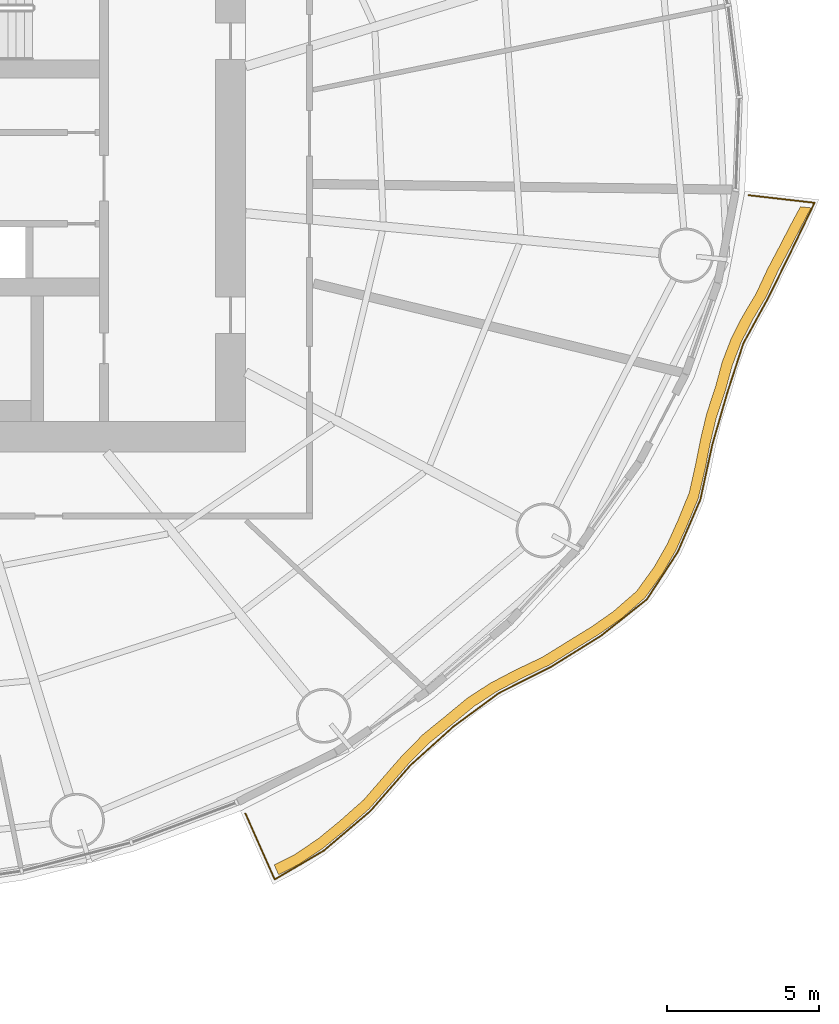
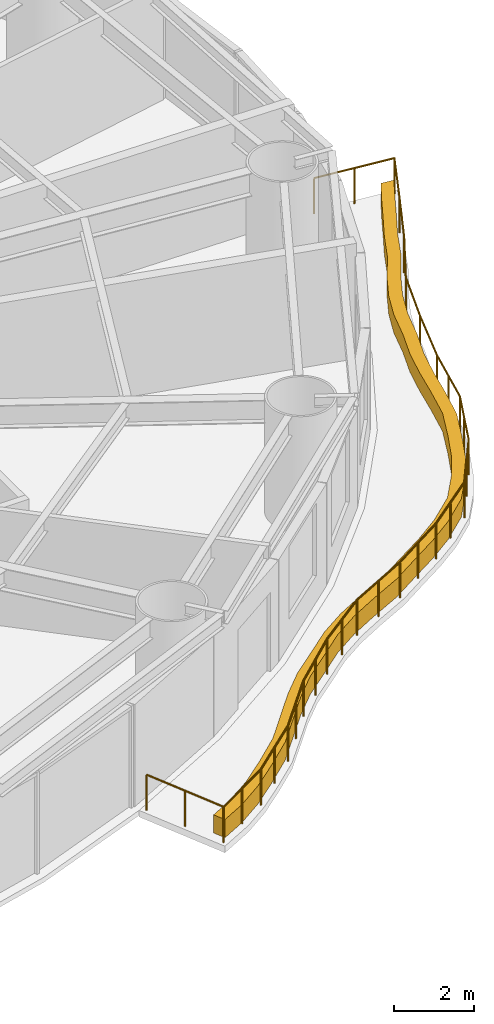
# One storey, part 14 of 16: 1 covering, 1 railing.
"""IFC4 building model written with IfcOpenShell, lengths in metres."""

from ifc_helpers import new_model, si_unit, direction, frame, origin, origin_2d, place, context, subcontext, project, spatial, polyline, circle, outline, extrude, material, type_object, element, save


model = new_model("IFC4")

# Units and contexts
model_context = context("Model", 3, precision=1e-05, world=origin(), true_north=direction((0.0, 1.0)))
body_context = subcontext(model_context, "Body", "Model", "MODEL_VIEW")
ifc_project = project(units=[si_unit("LENGTHUNIT", "METRE"), si_unit("AREAUNIT", "SQUARE_METRE"), si_unit("VOLUMEUNIT", "CUBIC_METRE"), si_unit("PLANEANGLEUNIT", "RADIAN"), si_unit("MASSUNIT", "GRAM", prefix="KILO")], contexts=[model_context])

# Site, building, storey
site_placement = place(None, origin())
site = spatial("IfcSite", under=ifc_project, at=site_placement, CompositionType="ELEMENT")
building_placement = place(site_placement, origin())
building = spatial("IfcBuilding", under=site, at=building_placement, Name="Vermilion Reach Broadcast Tower", CompositionType="ELEMENT")
storey_placement = place(building_placement, frame((0.0, 0.0, 80.39990234375)))
storey = spatial("IfcBuildingStorey", under=building, at=storey_placement, Name="L17", CompositionType="ELEMENT", Elevation=80.39990234375)

# Covering
ifc_material_1 = material(Name="Planting soil and greenery")
covering_type = type_object("IfcCoveringType", Name="Balcony PLANTER", PredefinedType="USERDEFINED", material=ifc_material_1)
covering_placement = place(storey_placement, origin())
element("IfcCovering", 1, at=covering_placement, inside=storey, type_object=covering_type, Name="PLANTER L17 group 4", ObjectType="PLANTER", PredefinedType="USERDEFINED", context=body_context, shape_type="SweptSolid", body=[
    extrude(outline(polyline([(7.078125, -22.880615234375), (7.75244140625, -22.537353515625), (8.525146484375, -22.0205078125), (9.25537109375, -21.421630859375), (10.052490234375, -20.72119140625), (10.7451171875, -19.931396484375), (11.364013671875, -19.220703125), (12.01806640625, -18.563232421875), (12.77490234375, -17.948974609375), (13.50927734375, -17.3427734375), (14.261962890625, -16.854248046875), (15.0693359375, -16.43017578125), (15.988525390625, -15.984130859375), (16.84033203125, -15.45166015625), (17.609130859375, -14.978515625), (18.33740234375, -14.4677734375), (19.11181640625, -13.78662109375), (19.700927734375, -12.973876953125), (20.12353515625, -12.234619140625), (20.479248046875, -11.447509765625), (20.86376953125, -10.517822265625), (21.08837890625, -9.552978515625), (21.25537109375, -8.70849609375), (21.453857421875, -7.88037109375), (21.7451171875, -7.0107421875), (21.9794921875, -6.15478515625), (22.26806640625, -5.40234375), (22.634521484375, -4.677734375), (23.101318359375, -3.881591796875), (23.4833984375, -3.049560546875), (23.867919921875, -2.32080078125), (24.24609375, -1.5908203125), (24.567626953125, -0.978759765625), (24.219970703125, -0.938720703125), (23.902587890625, -1.524169921875), (23.5244140625, -2.254150390625), (23.139892578125, -2.98291015625), (22.763671875, -3.78955078125), (22.3046875, -4.560791015625), (21.938232421875, -5.285400390625), (21.649658203125, -6.037841796875), (21.424560546875, -6.870849609375), (21.14404296875, -7.7177734375), (20.945556640625, -8.5458984375), (20.778564453125, -9.390625), (20.5654296875, -10.334716796875), (20.194091796875, -11.24462890625), (19.83837890625, -12.03173828125), (19.415771484375, -12.77099609375), (18.84033203125, -13.56591796875), (18.08056640625, -14.22998046875), (17.352294921875, -14.74072265625), (16.58349609375, -15.2138671875), (15.746826171875, -15.731201171875), (14.84326171875, -16.1630859375), (14.035888671875, -16.5869140625), (13.283203125, -17.075439453125), (12.56494140625, -17.6689453125), (11.82470703125, -18.271484375), (11.170654296875, -18.928955078125), (10.5517578125, -19.6396484375), (9.875732421875, -20.4189453125), (9.09619140625, -21.10986328125), (8.36572265625, -21.708984375), (7.59326171875, -22.2255859375), (6.936279296875, -22.560791015625), (7.078125, -22.880615234375)])), origin(), (0.0, 0.0, 1.0), 0.550048828125),
])

# Railing
ifc_material_2 = material(Name="Stainless steel 316 balustrade", Category="steel")
railing_type = type_object("IfcRailingType", Name="Balcony guard 1100", PredefinedType="BALUSTRADE", material=ifc_material_2)
railing_placement = place(storey_placement, frame((5.98974609375, -20.8701171875, 0.0)))
element("IfcRailing", 2, at=railing_placement, inside=storey, type_object=railing_type, Name="Balcony guard L17 group 4", PredefinedType="BALUSTRADE", context=body_context, shape_type="SweptSolid", body=[
    extrude(circle(Radius=0.02490234375, at=origin_2d()), frame((0.0, 0.0, 1.0751953125), z_axis=(0.405516861844, -0.914087564055, 0.0), x_axis=(0.914087564055, 0.405516861844, 0.0)), (0.0, 0.0, 1.0), 2.369140625),
    extrude(circle(Radius=0.02490234375, at=origin_2d()), frame((0.960693359375, -2.16552734375, 1.0751953125), z_axis=(0.862833666738, 0.505487945993, 0.0), x_axis=(-0.505487945993, 0.862833666738, 0.0)), (0.0, 0.0, 1.0), 1.8671875),
    extrude(circle(Radius=0.02490234375, at=origin_2d()), frame((2.57177734375, -1.2216796875, 1.0751953125), z_axis=(0.761951307399, 0.647634314373, 0.0), x_axis=(-0.647634314373, 0.761951307399, 0.0)), (0.0, 0.0, 1.0), 2.009521484375),
    extrude(circle(Radius=0.02490234375, at=origin_2d()), frame((4.10302734375, 0.079833984375, 1.0751953125), z_axis=(0.65866903114, 0.752432792625, 0.0), x_axis=(-0.752432792625, 0.65866903114, 0.0)), (0.0, 0.0, 1.0), 1.9970703125),
    extrude(circle(Radius=0.02490234375, at=origin_2d()), frame((5.41845703125, 1.58251953125, 1.0751953125), z_axis=(0.742943430418, 0.669354210563, 0.0), x_axis=(-0.669354210563, 0.742943430418, 0.0)), (0.0, 0.0, 1.0), 1.904296875),
    extrude(circle(Radius=0.02490234375, at=origin_2d()), frame((6.833251953125, 2.857177734375, 1.0751953125), z_axis=(0.805254676427, 0.592929090274, 0.0), x_axis=(-0.592929090274, 0.805254676427, 0.0)), (0.0, 0.0, 1.0), 1.851318359375),
    extrude(circle(Radius=0.02490234375, at=origin_2d()), frame((8.323974609375, 3.954833984375, 1.0751953125), z_axis=(0.892732853169, 0.450586343416, 0.0), x_axis=(-0.450586343416, 0.892732853169, 0.0)), (0.0, 0.0, 1.0), 1.938232421875),
    extrude(circle(Radius=0.02490234375, at=origin_2d()), frame((10.05419921875, 4.828125, 1.0751953125), z_axis=(0.849344115871, 0.527839533225, 0.0), x_axis=(-0.527839533225, 0.849344115871, 0.0)), (0.0, 0.0, 1.0), 1.912109375),
    extrude(circle(Radius=0.02490234375, at=origin_2d()), frame((11.67822265625, 5.83740234375, 1.0751953125), z_axis=(0.783229039421, 0.62173328028, 0.0), x_axis=(-0.62173328028, 0.783229039421, 0.0)), (0.0, 0.0, 1.0), 1.9228515625),
    extrude(circle(Radius=0.02490234375, at=origin_2d()), frame((13.184326171875, 7.032958984375, 1.0751953125), z_axis=(0.546179583508, 0.837668110029, 0.0), x_axis=(-0.837668110029, 0.546179583508, 0.0)), (0.0, 0.0, 1.0), 1.857666015625),
    extrude(circle(Radius=0.02490234375, at=origin_2d()), frame((14.198974609375, 8.589111328125, 1.0751953125), z_axis=(0.396353706356, 0.918097892089, 0.0), x_axis=(-0.918097892089, 0.396353706356, 0.0)), (0.0, 0.0, 1.0), 1.875),
    extrude(circle(Radius=0.02490234375, at=origin_2d()), frame((14.942138671875, 10.310546875, 1.0751953125), z_axis=(0.212402343481, 0.977182298491, 0.0), x_axis=(-0.977182298491, 0.212402343481, 0.0)), (0.0, 0.0, 1.0), 1.856201171875),
    extrude(circle(Radius=0.02490234375, at=origin_2d()), frame((15.33642578125, 12.12451171875, 1.0751953125), z_axis=(0.277830636311, 0.960630073195, 0.0), x_axis=(-0.960630073195, 0.277830636311, 0.0)), (0.0, 0.0, 1.0), 1.7724609375),
    extrude(circle(Radius=0.02490234375, at=origin_2d()), frame((15.828857421875, 13.8271484375, 1.0751953125), z_axis=(0.309313778144, 0.950960034202, 0.0), x_axis=(-0.950960034202, 0.309313778144, 0.0)), (0.0, 0.0, 1.0), 1.697021484375),
    extrude(circle(Radius=0.02490234375, at=origin_2d()), frame((16.353759765625, 15.44091796875, 1.0751953125), z_axis=(0.479854531455, 0.877348065845, 0.0), x_axis=(-0.877348065845, 0.479854531455, 0.0)), (0.0, 0.0, 1.0), 1.739990234375),
    extrude(circle(Radius=0.02490234375, at=origin_2d()), frame((17.188720703125, 16.967529296875, 1.0751953125), z_axis=(0.440203670106, 0.897897950118, 0.0), x_axis=(-0.897897950118, 0.440203670106, 0.0)), (0.0, 0.0, 1.0), 1.744873046875),
    extrude(circle(Radius=0.02490234375, at=origin_2d()), frame((17.956787109375, 18.5341796875, 1.0751953125), z_axis=(0.434184232178, 0.90082409633, 0.0), x_axis=(-0.90082409633, 0.434184232178, 0.0)), (0.0, 0.0, 1.0), 1.692626953125),
    extrude(circle(Radius=0.02490234375, at=origin_2d()), frame((18.691650390625, 20.058837890625, 1.0751953125), z_axis=(-0.993456069157, 0.114214879305, 0.0), x_axis=(-0.114214879305, -0.993456069157, 0.0)), (0.0, 0.0, 1.0), 2.173828125),
    extrude(circle(Radius=0.02490234375, at=origin_2d()), origin(), (0.0, 0.0, 1.0), 1.050048828125),
    extrude(circle(Radius=0.02490234375, at=origin_2d()), frame((0.48046875, -1.082763671875, 0.0)), (0.0, 0.0, 1.0), 1.050048828125),
    extrude(circle(Radius=0.02490234375, at=origin_2d()), frame((0.960693359375, -2.16552734375, 0.0)), (0.0, 0.0, 1.0), 1.050048828125),
    extrude(circle(Radius=0.02490234375, at=origin_2d()), frame((1.76611328125, -1.693603515625, 0.0)), (0.0, 0.0, 1.0), 1.050048828125),
    extrude(circle(Radius=0.02490234375, at=origin_2d()), frame((2.57177734375, -1.2216796875, 0.0)), (0.0, 0.0, 1.0), 1.050048828125),
    extrude(circle(Radius=0.02490234375, at=origin_2d()), frame((3.33740234375, -0.57080078125, 0.0)), (0.0, 0.0, 1.0), 1.050048828125),
    extrude(circle(Radius=0.02490234375, at=origin_2d()), frame((4.10302734375, 0.079833984375, 0.0)), (0.0, 0.0, 1.0), 1.050048828125),
    extrude(circle(Radius=0.02490234375, at=origin_2d()), frame((4.7607421875, 0.8310546875, 0.0)), (0.0, 0.0, 1.0), 1.050048828125),
    extrude(circle(Radius=0.02490234375, at=origin_2d()), frame((5.41845703125, 1.58251953125, 0.0)), (0.0, 0.0, 1.0), 1.050048828125),
    extrude(circle(Radius=0.02490234375, at=origin_2d()), frame((6.1259765625, 2.2197265625, 0.0)), (0.0, 0.0, 1.0), 1.050048828125),
    extrude(circle(Radius=0.02490234375, at=origin_2d()), frame((6.833251953125, 2.857177734375, 0.0)), (0.0, 0.0, 1.0), 1.050048828125),
    extrude(circle(Radius=0.02490234375, at=origin_2d()), frame((7.57861328125, 3.406005859375, 0.0)), (0.0, 0.0, 1.0), 1.050048828125),
    extrude(circle(Radius=0.02490234375, at=origin_2d()), frame((8.323974609375, 3.954833984375, 0.0)), (0.0, 0.0, 1.0), 1.050048828125),
    extrude(circle(Radius=0.02490234375, at=origin_2d()), frame((9.18896484375, 4.3916015625, 0.0)), (0.0, 0.0, 1.0), 1.050048828125),
    extrude(circle(Radius=0.02490234375, at=origin_2d()), frame((10.05419921875, 4.828125, 0.0)), (0.0, 0.0, 1.0), 1.050048828125),
    extrude(circle(Radius=0.02490234375, at=origin_2d()), frame((10.8662109375, 5.332763671875, 0.0)), (0.0, 0.0, 1.0), 1.050048828125),
    extrude(circle(Radius=0.02490234375, at=origin_2d()), frame((11.67822265625, 5.83740234375, 0.0)), (0.0, 0.0, 1.0), 1.050048828125),
    extrude(circle(Radius=0.02490234375, at=origin_2d()), frame((12.43115234375, 6.43505859375, 0.0)), (0.0, 0.0, 1.0), 1.050048828125),
    extrude(circle(Radius=0.02490234375, at=origin_2d()), frame((13.184326171875, 7.032958984375, 0.0)), (0.0, 0.0, 1.0), 1.050048828125),
    extrude(circle(Radius=0.02490234375, at=origin_2d()), frame((13.691650390625, 7.81103515625, 0.0)), (0.0, 0.0, 1.0), 1.050048828125),
    extrude(circle(Radius=0.02490234375, at=origin_2d()), frame((14.198974609375, 8.589111328125, 0.0)), (0.0, 0.0, 1.0), 1.050048828125),
    extrude(circle(Radius=0.02490234375, at=origin_2d()), frame((14.570556640625, 9.44970703125, 0.0)), (0.0, 0.0, 1.0), 1.050048828125),
    extrude(circle(Radius=0.02490234375, at=origin_2d()), frame((14.942138671875, 10.310546875, 0.0)), (0.0, 0.0, 1.0), 1.050048828125),
    extrude(circle(Radius=0.02490234375, at=origin_2d()), frame((15.13916015625, 11.217529296875, 0.0)), (0.0, 0.0, 1.0), 1.050048828125),
    extrude(circle(Radius=0.02490234375, at=origin_2d()), frame((15.33642578125, 12.12451171875, 0.0)), (0.0, 0.0, 1.0), 1.050048828125),
    extrude(circle(Radius=0.02490234375, at=origin_2d()), frame((15.828857421875, 13.8271484375, 0.0)), (0.0, 0.0, 1.0), 1.050048828125),
    extrude(circle(Radius=0.02490234375, at=origin_2d()), frame((16.353759765625, 15.44091796875, 0.0)), (0.0, 0.0, 1.0), 1.050048828125),
    extrude(circle(Radius=0.02490234375, at=origin_2d()), frame((17.188720703125, 16.967529296875, 0.0)), (0.0, 0.0, 1.0), 1.050048828125),
    extrude(circle(Radius=0.02490234375, at=origin_2d()), frame((17.956787109375, 18.5341796875, 0.0)), (0.0, 0.0, 1.0), 1.050048828125),
    extrude(circle(Radius=0.02490234375, at=origin_2d()), frame((18.691650390625, 20.058837890625, 0.0)), (0.0, 0.0, 1.0), 1.050048828125),
    extrude(circle(Radius=0.02490234375, at=origin_2d()), frame((17.61181640625, 20.18310546875, 0.0)), (0.0, 0.0, 1.0), 1.050048828125),
    extrude(circle(Radius=0.02490234375, at=origin_2d()), frame((16.531982421875, 20.30712890625, 0.0)), (0.0, 0.0, 1.0), 1.050048828125),
])

save(model, "model.ifc")
